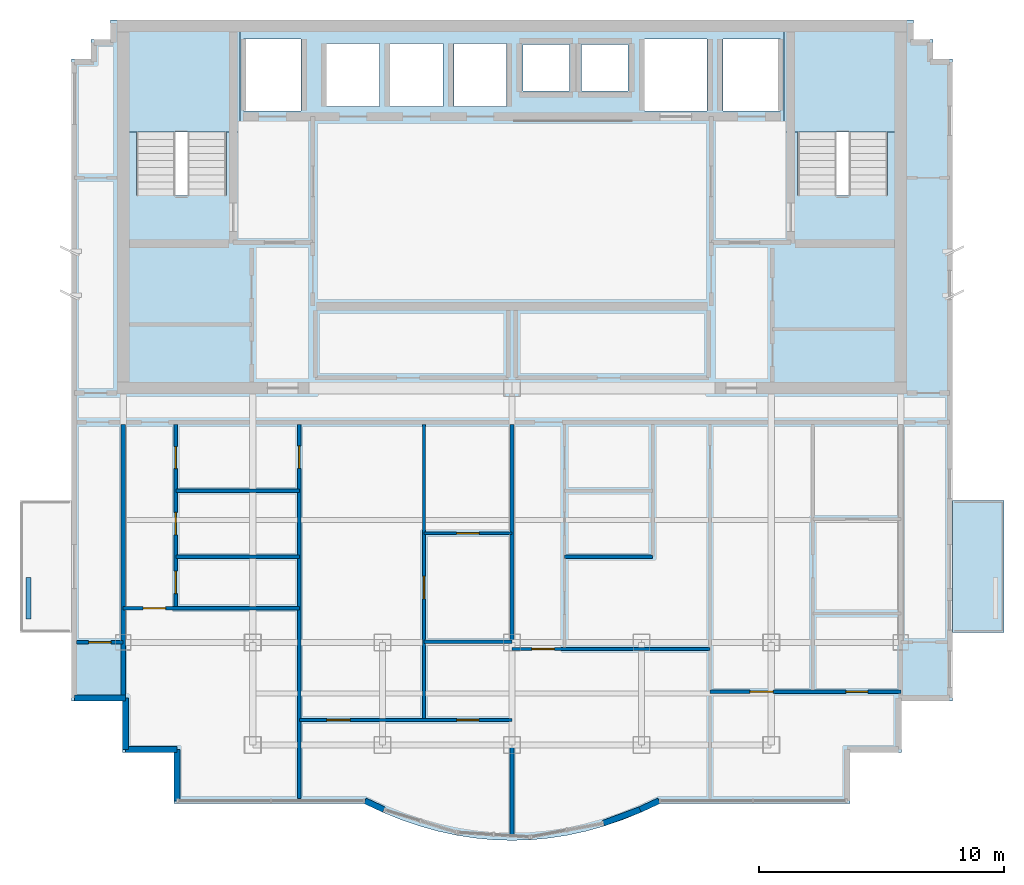
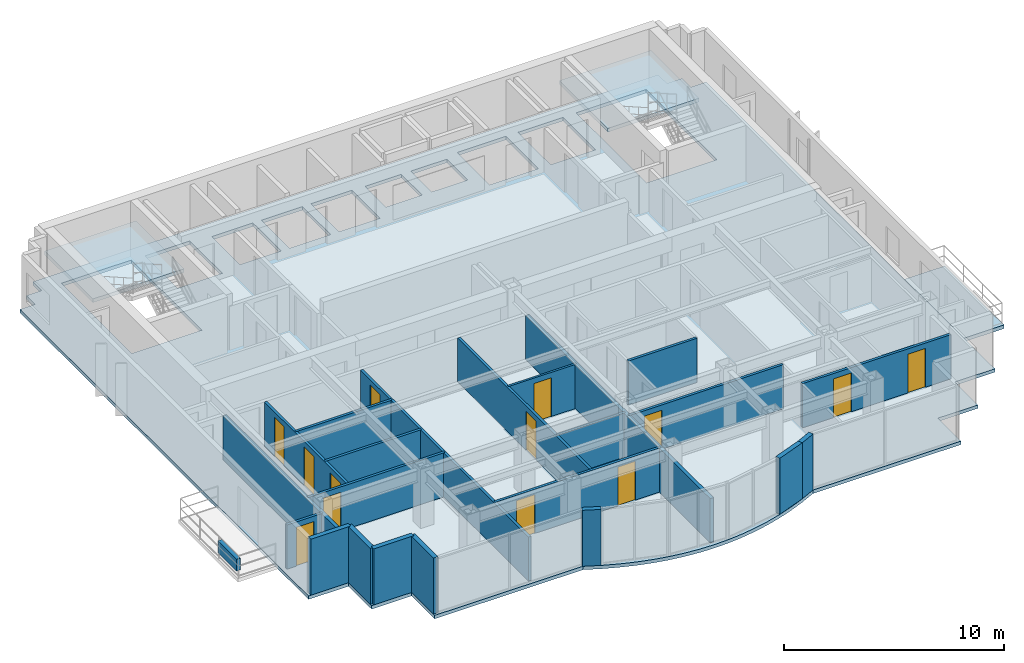
# One storey, part 3 of 9: 23 walls, 13 doors, 4 slabs, 13 openings, 2 elements without a shape of their own.
"""IFC4 building model written with IfcOpenShell, lengths in metres."""

from ifc_helpers import new_model, si_unit, direction, frame, frame_2d, origin, place, context, subcontext, project, spatial, polyline, rectangle, outline, extrude, material, layer, layer_set, type_object, element, fill, aggregate, save


model = new_model("IFC4")

# Units and contexts
model_context = context("Model", 3, precision=1e-05, world=origin(), true_north=direction((0.0, 1.0)))
body_context = subcontext(model_context, "Body", "Model", "MODEL_VIEW")
ifc_project = project(units=[si_unit("LENGTHUNIT", "METRE"), si_unit("AREAUNIT", "SQUARE_METRE"), si_unit("VOLUMEUNIT", "CUBIC_METRE"), si_unit("PLANEANGLEUNIT", "RADIAN"), si_unit("MASSUNIT", "GRAM", prefix="KILO")], contexts=[model_context])

# Site, building, storey
site_placement = place(None, origin())
site = spatial("IfcSite", under=ifc_project, at=site_placement, CompositionType="ELEMENT")
building_placement = place(site_placement, origin())
building = spatial("IfcBuilding", under=site, at=building_placement, Name="Qianlan Lanfeng Residences", CompositionType="ELEMENT")
storey_placement = place(building_placement, frame((0.0, 0.0, 249.5)))
storey = spatial("IfcBuildingStorey", under=building, at=storey_placement, Name="L69", CompositionType="ELEMENT", Elevation=249.5)

# Slabs
ifc_material_1 = material(Name="Concrete C42", Category="concrete")
ifc_layer_1 = layer(ifc_material_1, 0.199951171875)
ifc_layer_set_1 = layer_set([ifc_layer_1], Name="Concrete C42")
slab_type_1 = type_object("IfcSlabType", Name="S-BAL-200", PredefinedType="FLOOR", material=ifc_layer_set_1)
slab_1_placement = place(storey_placement, frame((0.0, 0.0, -0.199951171875)))
element("IfcSlab", 1, at=slab_1_placement, inside=storey, type_object=slab_type_1, Name="L69 Planted Tree Balcony Slab EB-N", PredefinedType="FLOOR", context=body_context, shape_type="SweptSolid", body=[
    extrude(outline(polyline([(44.52001953125, 20.60009765625), (44.52001953125, 15.199951171875), (46.6201171875, 15.199951171875), (46.6201171875, 20.60009765625), (44.52001953125, 20.60009765625)])), origin(), (0.0, 0.0, 1.0), 0.199951171875),
])
ifc_layer_2 = layer(ifc_material_1, 0.18994140625)
ifc_layer_set_2 = layer_set([ifc_layer_2], Name="Concrete C42")
slab_type_2 = type_object("IfcSlabType", Name="S-FL-190", PredefinedType="FLOOR", material=ifc_layer_set_2)
slab_2_placement = place(storey_placement, frame((0.0, 0.0, -0.18994140625)))
element("IfcSlab", 2, at=slab_2_placement, inside=storey, type_object=slab_type_2, Name="L69 Structural Floor Slab", PredefinedType="FLOOR", context=body_context, shape_type="SweptSolid", body=[
    extrude(outline(polyline([(8.47998046875, 12.39990234375), (10.580078125, 12.39990234375), (10.580078125, 10.300048828125), (12.679931640625, 10.300048828125), (12.679931640625, 8.199951171875), (20.4599609375, 8.199951171875), (21.215087890625, 7.847900390625), (21.969970703125, 7.5439453125), (22.72509765625, 7.285888671875), (23.47998046875, 7.074951171875), (24.235107421875, 6.910888671875), (24.989990234375, 6.7939453125), (25.7451171875, 6.722900390625), (26.5, 6.699951171875), (27.2548828125, 6.722900390625), (28.010009765625, 6.7939453125), (28.764892578125, 6.910888671875), (29.52001953125, 7.074951171875), (30.27490234375, 7.285888671875), (31.030029296875, 7.5439453125), (31.784912109375, 7.847900390625), (32.5400390625, 8.199951171875), (40.320068359375, 8.199951171875), (40.320068359375, 10.300048828125), (42.419921875, 10.300048828125), (42.419921875, 12.39990234375), (44.52001953125, 12.39990234375), (44.52001953125, 38.64990234375), (43.719970703125, 38.64990234375), (43.719970703125, 39.449951171875), (42.919921875, 39.449951171875), (42.919921875, 40.25), (10.080078125, 40.25), (10.080078125, 39.449951171875), (9.280029296875, 39.449951171875), (9.280029296875, 38.64990234375), (8.47998046875, 38.64990234375), (8.47998046875, 12.39990234375)]), holes=[polyline([(11.139892578125, 33.080078125), (11.139892578125, 39.5), (14.820068359375, 39.5), (14.820068359375, 33.080078125), (11.139892578125, 33.080078125)]), polyline([(38.179931640625, 33.080078125), (38.179931640625, 39.5), (41.860107421875, 39.5), (41.860107421875, 33.080078125), (38.179931640625, 33.080078125)]), polyline([(15.52001953125, 36.52001953125), (15.52001953125, 39.47998046875), (17.8798828125, 39.47998046875), (17.8798828125, 36.52001953125), (15.52001953125, 36.52001953125)]), polyline([(35.1201171875, 36.52001953125), (35.1201171875, 39.47998046875), (37.47998046875, 39.47998046875), (37.47998046875, 36.52001953125), (35.1201171875, 36.52001953125)]), polyline([(31.919921875, 36.52001953125), (31.919921875, 39.47998046875), (34.47998046875, 39.47998046875), (34.47998046875, 36.52001953125), (31.919921875, 36.52001953125)]), polyline([(18.919921875, 36.719970703125), (18.919921875, 39.280029296875), (21.080078125, 39.280029296875), (21.080078125, 36.719970703125), (18.919921875, 36.719970703125)]), polyline([(21.52001953125, 36.719970703125), (21.52001953125, 39.280029296875), (23.679931640625, 39.280029296875), (23.679931640625, 36.719970703125), (21.52001953125, 36.719970703125)]), polyline([(24.1201171875, 36.719970703125), (24.1201171875, 39.280029296875), (26.280029296875, 39.280029296875), (26.280029296875, 36.719970703125), (24.1201171875, 36.719970703125)]), polyline([(26.949951171875, 37.35009765625), (26.949951171875, 39.25), (28.85009765625, 39.25), (28.85009765625, 37.35009765625), (26.949951171875, 37.35009765625)]), polyline([(29.35009765625, 37.35009765625), (29.35009765625, 39.25), (31.25, 39.25), (31.25, 37.35009765625), (29.35009765625, 37.35009765625)])]), origin(), (0.0, 0.0, 1.0), 0.18994140625),
])

# Stair, slab
stair_type = type_object("IfcStairType", Name="STR-MAIN", PredefinedType="HALF_TURN_STAIR", material=ifc_material_1)
stair_1_placement = place(storey_placement, origin())
stair_1 = element("IfcStair", 3, at=stair_1_placement, inside=storey, type_object=stair_type, Name="L69 Exit Stair ST-1", PredefinedType="HALF_TURN_STAIR")
ifc_layer_3 = layer(ifc_material_1, 0.179931640625)
ifc_layer_set_3 = layer_set([ifc_layer_3], Name="Concrete C42")
slab_type_3 = type_object("IfcSlabType", Name="S-LND-180", PredefinedType="LANDING", material=ifc_layer_set_3)
slab_3_placement = place(storey_placement, frame((0.0, 0.0, 1.449951171875)))
slab_3 = element("IfcSlab", 4, at=slab_3_placement, type_object=slab_type_3, Name="ST-1 landing 1", PredefinedType="LANDING", context=body_context, shape_type="SweptSolid", body=[
    extrude(outline(polyline([(10.580078125, 35.659912109375), (15.3798828125, 35.659912109375), (15.3798828125, 40.050048828125), (10.580078125, 40.050048828125), (10.580078125, 35.659912109375)])), origin(), (0.0, 0.0, 1.0), 0.199951171875),
])
aggregate(stair_1, [slab_3])

stair_2_placement = place(storey_placement, origin())
stair_2 = element("IfcStair", 5, at=stair_2_placement, inside=storey, type_object=stair_type, Name="L69 Exit Stair ST-2", PredefinedType="HALF_TURN_STAIR")
slab_4_placement = place(storey_placement, frame((0.0, 0.0, 1.449951171875)))
slab_4 = element("IfcSlab", 6, at=slab_4_placement, type_object=slab_type_3, Name="ST-2 landing 1", PredefinedType="LANDING", context=body_context, shape_type="SweptSolid", body=[
    extrude(outline(polyline([(37.6201171875, 35.659912109375), (42.419921875, 35.659912109375), (42.419921875, 40.050048828125), (37.6201171875, 40.050048828125), (37.6201171875, 35.659912109375)])), origin(), (0.0, 0.0, 1.0), 0.199951171875),
])
aggregate(stair_2, [slab_4])

# Walls
ifc_layer_4 = layer(ifc_material_1, 0.239990234375)
ifc_layer_set_4 = layer_set([ifc_layer_4], Name="Concrete C42")
wall_type_1 = type_object("IfcWallType", Name="EW-240", PredefinedType="SOLIDWALL", material=ifc_layer_set_4)
wall_1_placement = place(storey_placement, frame((8.60009765625, 12.52001953125, 0.0), z_axis=(0.0, 0.0, 1.0), x_axis=(1.0, 0.0, 0.0)))
element("IfcWall", 7, at=wall_1_placement, inside=storey, type_object=wall_type_1, Name="L69 Exterior Facade Spandrel Wall 1", PredefinedType="SOLIDWALL", context=body_context, shape_type="SweptSolid", body=[
    extrude(rectangle(XDim=2.099853515625, YDim=0.239990234375, at=frame_2d((1.0498046875, 0.0))), origin(), (0.0, 0.0, 1.0), 3.110107421875),
])
for number, where, z_axis, x_axis, name in (
    (8, (10.699951171875, 12.52001953125, 0.0), (0.0, 0.0, 1.0), (0.0, -1.0, 0.0), "L69 Exterior Facade Spandrel Wall 2"),
    (9, (10.699951171875, 10.419921875, 0.0), (0.0, 0.0, 1.0), (1.0, 0.0, 0.0), "L69 Exterior Facade Spandrel Wall 3"),
):
    element("IfcWall", number, at=place(storey_placement, frame(where, z_axis=z_axis, x_axis=x_axis)), inside=storey, type_object=wall_type_1, Name=name, PredefinedType="SOLIDWALL", context=body_context, shape_type="SweptSolid", body=[
        extrude(rectangle(XDim=2.10009765625, YDim=0.239990234375, at=frame_2d((1.050048828125, 0.0))), origin(), (0.0, 0.0, 1.0), 3.110107421875),
    ])
wall_2_placement = place(storey_placement, frame((12.800048828125, 10.419921875, 0.0), z_axis=(0.0, 0.0, 1.0), x_axis=(0.0, -1.0, 0.0)))
element("IfcWall", 10, at=wall_2_placement, inside=storey, type_object=wall_type_1, Name="L69 Exterior Facade Spandrel Wall 4", PredefinedType="SOLIDWALL", context=body_context, shape_type="SweptSolid", body=[
    extrude(rectangle(XDim=2.099853515625, YDim=0.239990234375, at=frame_2d((1.0498046875, 0.0))), origin(), (0.0, 0.0, 1.0), 3.110107421875),
])
wall_3_placement = place(storey_placement, frame((20.487060546875, 8.320068359375, 0.0), z_axis=(0.0, 0.0, 1.0), x_axis=(0.906190424584, -0.422869855147, 0.0)))
element("IfcWall", 11, at=wall_3_placement, inside=storey, type_object=wall_type_1, Name="L69 Exterior Facade Spandrel Wall 5", PredefinedType="SOLIDWALL", context=body_context, shape_type="SweptSolid", body=[
    extrude(rectangle(XDim=0.856201171875, YDim=0.239990234375, at=frame_2d((0.42822265625, 0.0))), origin(), (0.0, 0.0, 1.0), 3.110107421875),
])
wall_4_placement = place(storey_placement, frame((30.239013671875, 7.40087890625, 0.0), z_axis=(0.0, 0.0, 1.0), x_axis=(0.937279890693, 0.34857769077, 0.0)))
element("IfcWall", 12, at=wall_4_placement, inside=storey, type_object=wall_type_1, Name="L69 Exterior Facade Spandrel Wall 6", PredefinedType="SOLIDWALL", context=body_context, shape_type="SweptSolid", body=[
    extrude(rectangle(XDim=1.598388671875, YDim=0.239990234375, at=frame_2d((0.79931640625, 0.0))), origin(), (0.0, 0.0, 1.0), 3.110107421875),
])
wall_5_placement = place(storey_placement, frame((31.737060546875, 7.9580078125, 0.0), z_axis=(0.0, 0.0, 1.0), x_axis=(0.906190424584, 0.422869855147, 0.0)))
element("IfcWall", 13, at=wall_5_placement, inside=storey, type_object=wall_type_1, Name="L69 Exterior Facade Spandrel Wall 7", PredefinedType="SOLIDWALL", context=body_context, shape_type="SweptSolid", body=[
    extrude(rectangle(XDim=0.856201171875, YDim=0.239990234375, at=frame_2d((0.42822265625, 0.0))), origin(), (0.0, 0.0, 1.0), 3.110107421875),
])
ifc_layer_5 = layer(ifc_material_1, 0.199951171875)
ifc_layer_set_5 = layer_set([ifc_layer_5], Name="Concrete C42")
wall_type_2 = type_object("IfcWallType", Name="PL-TREE-200", PredefinedType="PARAPET", material=ifc_layer_set_5)
wall_6_placement = place(storey_placement, frame((6.72998046875, 15.75, 0.0), z_axis=(0.0, 0.0, 1.0), x_axis=(0.0, 1.0, 0.0)))
element("IfcWall", 14, at=wall_6_placement, inside=storey, type_object=wall_type_2, Name="L69 West Tree Planter Curb WB-S", PredefinedType="PARAPET", context=body_context, shape_type="SweptSolid", body=[
    extrude(rectangle(XDim=1.699951171875, YDim=0.199951171875, at=frame_2d((0.85009765625, 0.0))), origin(), (0.0, 0.0, 1.0), 0.64990234375),
])

# Wall, opening, door
ifc_material_2 = material(Name="Demountable Acoustic Framing Partition 110 mm")
ifc_layer_6 = layer(ifc_material_2, 0.110107421875)
ifc_layer_set_6 = layer_set([ifc_layer_6], Name="Demountable Acoustic Framing Partition 110 mm")
wall_type_3 = type_object("IfcWallType", Name="PW-110", PredefinedType="MOVABLE", material=ifc_layer_set_6)
wall_7_placement = place(storey_placement, frame((22.89990234375, 19.260986328125, 0.0), z_axis=(0.0, 0.0, 1.0), x_axis=(1.0, 0.0, 0.0)))
wall_7 = element("IfcWall", 15, at=wall_7_placement, inside=storey, type_object=wall_type_3, Name="L69 U01 Wardrobe Split", PredefinedType="MOVABLE", context=body_context, shape_type="SweptSolid", body=[
    extrude(rectangle(XDim=3.60009765625, YDim=0.110107421875, at=frame_2d((1.800048828125, 0.0))), origin(), (0.0, 0.0, 1.0), 2.449951171875),
])
opening_1_placement = place(wall_7_placement, frame((1.340087890625, 0.0, 0.0)))
opening_1 = element("IfcOpeningElement", 16, at=opening_1_placement, cuts=wall_7, Name="Opening L69-D26", PredefinedType="OPENING", context=body_context, shape_type="SweptSolid", body=[
    extrude(rectangle(XDim=0.919921875, YDim=2.14990234375, at=frame_2d((0.4599609375, 1.074951171875))), frame((0.0, 0.06494140625, 0.0), z_axis=(0.0, -1.0, 0.0), x_axis=(1.0, 0.0, 0.0)), (0.0, 0.0, 1.0), 0.130126953125),
])
ifc_material_3 = material(Name="Glazed Timber Kitchen/Study Door", Category="wood")
door_type_1 = type_object("IfcDoorType", Name="DT-INT", OperationType="NOTDEFINED", PredefinedType="DOOR", material=ifc_material_3)
door_1_placement = place(opening_1_placement, origin())
door_1 = element("IfcDoor", 17, at=door_1_placement, inside=storey, type_object=door_type_1, Name="L69 U01 Dressing Inner Door L69-D26 (DT-INT)", OperationType="SINGLE_SWING_RIGHT", OverallHeight=2.14990234375, OverallWidth=0.919921875, PredefinedType="DOOR", context=body_context, shape_type="SweptSolid", body=[
    extrude(rectangle(XDim=0.919921875, YDim=2.14990234375, at=frame_2d((0.4599609375, 1.074951171875))), frame((0.0, 0.02490234375, 0.0), z_axis=(0.0, -1.0, 0.0), x_axis=(1.0, 0.0, 0.0)), (0.0, 0.0, 1.0), 0.050048828125),
])
fill(opening_1, door_1)

ifc_material_4 = material(Name="Moisture-Resistant Gypsum Partition 135 mm")
ifc_layer_7 = layer(ifc_material_4, 0.135009765625)
ifc_layer_set_7 = layer_set([ifc_layer_7], Name="Moisture-Resistant Gypsum Partition 135 mm")
wall_type_4 = type_object("IfcWallType", Name="PW-135", PredefinedType="PARTITIONING", material=ifc_layer_set_7)
wall_8_placement = place(storey_placement, frame((17.800048828125, 8.419921875, 0.0), z_axis=(0.0, 0.0, 1.0), x_axis=(0.0, 1.0, 0.0)))
wall_8 = element("IfcWall", 18, at=wall_8_placement, inside=storey, type_object=wall_type_4, Name="L69 U01 Bay Spine Wall 1", PredefinedType="PARTITIONING", context=body_context, shape_type="SweptSolid", body=[
    extrude(rectangle(XDim=15.280029296875, YDim=0.135009765625, at=frame_2d((7.64013671875, 0.0))), origin(), (0.0, 0.0, 1.0), 2.449951171875),
])
opening_2_placement = place(wall_8_placement, frame((13.4951171875, 0.0, 0.0)))
opening_2 = element("IfcOpeningElement", 19, at=opening_2_placement, cuts=wall_8, Name="Opening L69-D18", PredefinedType="OPENING", context=body_context, shape_type="SweptSolid", body=[
    extrude(rectangle(XDim=0.919921875, YDim=2.14990234375, at=frame_2d((0.4599609375, 1.074951171875))), frame((0.0, 0.07763671875, 0.0), z_axis=(0.0, -1.0, 0.0), x_axis=(1.0, 0.0, 0.0)), (0.0, 0.0, 1.0), 0.155029296875),
])
door_2_placement = place(opening_2_placement, origin())
door_2 = element("IfcDoor", 20, at=door_2_placement, inside=storey, type_object=door_type_1, Name="L69 U01 Internal Hall Door L69-D18 (DT-INT)", OperationType="SINGLE_SWING_RIGHT", OverallHeight=2.14990234375, OverallWidth=0.919921875, PredefinedType="DOOR", context=body_context, shape_type="SweptSolid", body=[
    extrude(rectangle(XDim=0.919921875, YDim=2.14990234375, at=frame_2d((0.4599609375, 1.074951171875))), frame((0.0, 0.02490234375, 0.0), z_axis=(0.0, -1.0, 0.0), x_axis=(1.0, 0.0, 0.0)), (0.0, 0.0, 1.0), 0.050048828125),
])
fill(opening_2, door_2)

wall_9_placement = place(storey_placement, frame((10.60009765625, 16.197998046875, 0.0), z_axis=(0.0, 0.0, 1.0), x_axis=(1.0, 0.0, 0.0)))
wall_9 = element("IfcWall", 21, at=wall_9_placement, inside=storey, type_object=wall_type_4, Name="L69 U01 Living Divider", PredefinedType="PARTITIONING", context=body_context, shape_type="SweptSolid", body=[
    extrude(rectangle(XDim=7.199951171875, YDim=0.135009765625, at=frame_2d((3.60009765625, 0.0))), origin(), (0.0, 0.0, 1.0), 2.449951171875),
])
opening_3_placement = place(wall_9_placement, frame((0.81494140625, 0.0, 0.0)))
opening_3 = element("IfcOpeningElement", 22, at=opening_3_placement, cuts=wall_9, Name="Opening L69-D19", PredefinedType="OPENING", context=body_context, shape_type="SweptSolid", body=[
    extrude(rectangle(XDim=0.919921875, YDim=2.14990234375, at=frame_2d((0.4599609375, 1.074951171875))), frame((0.0, 0.07763671875, 0.0), z_axis=(0.0, -1.0, 0.0), x_axis=(1.0, 0.0, 0.0)), (0.0, 0.0, 1.0), 0.155029296875),
])
door_3_placement = place(opening_3_placement, origin())
door_3 = element("IfcDoor", 23, at=door_3_placement, inside=storey, type_object=door_type_1, Name="L69 U01 Living Passage Door L69-D19 (DT-INT)", OperationType="SINGLE_SWING_LEFT", OverallHeight=2.14990234375, OverallWidth=0.919921875, PredefinedType="DOOR", context=body_context, shape_type="SweptSolid", body=[
    extrude(rectangle(XDim=0.919921875, YDim=2.14990234375, at=frame_2d((0.4599609375, 1.074951171875))), frame((0.0, 0.02490234375, 0.0), z_axis=(0.0, -1.0, 0.0), x_axis=(1.0, 0.0, 0.0)), (0.0, 0.0, 1.0), 0.050048828125),
])
fill(opening_3, door_3)

# Wall, openings, doors
wall_10_placement = place(storey_placement, frame((12.75, 16.197998046875, 0.0), z_axis=(0.0, 0.0, 1.0), x_axis=(0.0, 1.0, 0.0)))
wall_10 = element("IfcWall", 24, at=wall_10_placement, inside=storey, type_object=wall_type_4, Name="L69 U01 Entry Hall Spine", PredefinedType="PARTITIONING", context=body_context, shape_type="SweptSolid", body=[
    extrude(rectangle(XDim=7.501953125, YDim=0.135009765625, at=frame_2d((3.7509765625, 0.0))), origin(), (0.0, 0.0, 1.0), 2.449951171875),
])
opening_4_placement = place(wall_10_placement, frame((0.591064453125, 0.0, 0.0)))
opening_4 = element("IfcOpeningElement", 25, at=opening_4_placement, cuts=wall_10, Name="Opening L69-D20", PredefinedType="OPENING", context=body_context, shape_type="SweptSolid", body=[
    extrude(rectangle(XDim=0.919921875, YDim=2.14990234375, at=frame_2d((0.4599609375, 1.074951171875))), frame((0.0, 0.07763671875, 0.0), z_axis=(0.0, -1.0, 0.0), x_axis=(1.0, 0.0, 0.0)), (0.0, 0.0, 1.0), 0.155029296875),
])
opening_5_placement = place(wall_10_placement, frame((2.991943359375, 0.0, 0.0)))
opening_5 = element("IfcOpeningElement", 26, at=opening_5_placement, cuts=wall_10, Name="Opening L69-D21", PredefinedType="OPENING", context=body_context, shape_type="SweptSolid", body=[
    extrude(rectangle(XDim=0.919921875, YDim=2.14990234375, at=frame_2d((0.4599609375, 1.074951171875))), frame((0.0, 0.07763671875, 0.0), z_axis=(0.0, -1.0, 0.0), x_axis=(1.0, 0.0, 0.0)), (0.0, 0.0, 1.0), 0.155029296875),
])
opening_6_placement = place(wall_10_placement, frame((5.701904296875, 0.0, 0.0)))
opening_6 = element("IfcOpeningElement", 27, at=opening_6_placement, cuts=wall_10, Name="Opening L69-D22", PredefinedType="OPENING", context=body_context, shape_type="SweptSolid", body=[
    extrude(rectangle(XDim=0.89990234375, YDim=2.14990234375, at=frame_2d((0.449951171875, 1.074951171875))), frame((0.0, 0.07763671875, 0.0), z_axis=(0.0, -1.0, 0.0), x_axis=(1.0, 0.0, 0.0)), (0.0, 0.0, 1.0), 0.155029296875),
])
door_4_placement = place(opening_4_placement, origin())
door_4 = element("IfcDoor", 28, at=door_4_placement, inside=storey, type_object=door_type_1, Name="L69 U01 Study Door L69-D20 (DT-INT)", OperationType="SINGLE_SWING_RIGHT", OverallHeight=2.14990234375, OverallWidth=0.919921875, PredefinedType="DOOR", context=body_context, shape_type="SweptSolid", body=[
    extrude(rectangle(XDim=0.919921875, YDim=2.14990234375, at=frame_2d((0.4599609375, 1.074951171875))), frame((0.0, 0.02490234375, 0.0), z_axis=(0.0, -1.0, 0.0), x_axis=(1.0, 0.0, 0.0)), (0.0, 0.0, 1.0), 0.050048828125),
])
fill(opening_4, door_4)
door_5_placement = place(opening_5_placement, origin())
door_5 = element("IfcDoor", 29, at=door_5_placement, inside=storey, type_object=door_type_1, Name="L69 U01 Kitchen Door L69-D21 (DT-INT)", OperationType="SINGLE_SWING_LEFT", OverallHeight=2.14990234375, OverallWidth=0.919921875, PredefinedType="DOOR", context=body_context, shape_type="SweptSolid", body=[
    extrude(rectangle(XDim=0.919921875, YDim=2.14990234375, at=frame_2d((0.4599609375, 1.074951171875))), frame((0.0, 0.02490234375, 0.0), z_axis=(0.0, -1.0, 0.0), x_axis=(1.0, 0.0, 0.0)), (0.0, 0.0, 1.0), 0.050048828125),
])
fill(opening_5, door_5)
ifc_material_5 = material(Name="Moisture-Resistant Timber Leaf", Category="wood")
door_type_2 = type_object("IfcDoorType", Name="DT-WC", OperationType="NOTDEFINED", PredefinedType="DOOR", material=ifc_material_5)
door_6_placement = place(opening_6_placement, origin())
door_6 = element("IfcDoor", 30, at=door_6_placement, inside=storey, type_object=door_type_2, Name="L69 U01 Bathroom Door L69-D22 (DT-WC)", OperationType="SINGLE_SWING_RIGHT", OverallHeight=2.14990234375, OverallWidth=0.89990234375, PredefinedType="DOOR", context=body_context, shape_type="SweptSolid", body=[
    extrude(rectangle(XDim=0.89990234375, YDim=2.14990234375, at=frame_2d((0.449951171875, 1.074951171875))), frame((0.0, 0.02490234375, 0.0), z_axis=(0.0, -1.0, 0.0), x_axis=(1.0, 0.0, 0.0)), (0.0, 0.0, 1.0), 0.050048828125),
])
fill(opening_6, door_6)

# Walls
for number, where, z_axis, x_axis, name in (
    (31, (12.75, 18.300048828125, 0.0), (0.0, 0.0, 1.0), (1.0, 0.0, 0.0), "L69 U01 Kitchen South Wall"),
    (32, (12.75, 21.0, 0.0), (0.0, 0.0, 1.0), (1.0, 0.0, 0.0), "L69 U01 Bathroom South Wall"),
):
    element("IfcWall", number, at=place(storey_placement, frame(where, z_axis=z_axis, x_axis=x_axis)), inside=storey, type_object=wall_type_4, Name=name, PredefinedType="PARTITIONING", context=body_context, shape_type="SweptSolid", body=[
        extrude(rectangle(XDim=5.050048828125, YDim=0.135009765625, at=frame_2d((2.52490234375, 0.0))), origin(), (0.0, 0.0, 1.0), 2.449951171875),
    ])

# Wall, openings, doors
wall_11_placement = place(storey_placement, frame((17.800048828125, 11.623046875, 0.0), z_axis=(0.0, 0.0, 1.0), x_axis=(1.0, 0.0, 0.0)))
wall_11 = element("IfcWall", 33, at=wall_11_placement, inside=storey, type_object=wall_type_4, Name="L69 U01 Master Bedroom North Wall", PredefinedType="PARTITIONING", context=body_context, shape_type="SweptSolid", body=[
    extrude(rectangle(XDim=8.699951171875, YDim=0.135009765625, at=frame_2d((4.35009765625, 0.0))), origin(), (0.0, 0.0, 1.0), 2.449951171875),
])
opening_7_placement = place(wall_11_placement, frame((1.125, 0.0, 0.0)))
opening_7 = element("IfcOpeningElement", 34, at=opening_7_placement, cuts=wall_11, Name="Opening L69-D23", PredefinedType="OPENING", context=body_context, shape_type="SweptSolid", body=[
    extrude(rectangle(XDim=0.949951171875, YDim=2.14990234375, at=frame_2d((0.47509765625, 1.074951171875))), frame((0.0, 0.07763671875, 0.0), z_axis=(0.0, -1.0, 0.0), x_axis=(1.0, 0.0, 0.0)), (0.0, 0.0, 1.0), 0.155029296875),
])
opening_8_placement = place(wall_11_placement, frame((6.449951171875, 0.0, 0.0)))
opening_8 = element("IfcOpeningElement", 35, at=opening_8_placement, cuts=wall_11, Name="Opening L69-D24", PredefinedType="OPENING", context=body_context, shape_type="SweptSolid", body=[
    extrude(rectangle(XDim=0.89990234375, YDim=2.14990234375, at=frame_2d((0.449951171875, 1.074951171875))), frame((0.0, 0.07763671875, 0.0), z_axis=(0.0, -1.0, 0.0), x_axis=(1.0, 0.0, 0.0)), (0.0, 0.0, 1.0), 0.155029296875),
])
ifc_material_6 = material(Name="Painted Solid-Core Timber Leaf", Category="wood")
door_type_3 = type_object("IfcDoorType", Name="DT-BED", OperationType="NOTDEFINED", PredefinedType="DOOR", material=ifc_material_6)
door_7_placement = place(opening_7_placement, origin())
door_7 = element("IfcDoor", 36, at=door_7_placement, inside=storey, type_object=door_type_3, Name="L69 U01 Master Bedroom Door L69-D23 (DT-BED)", OperationType="SINGLE_SWING_LEFT", OverallHeight=2.14990234375, OverallWidth=0.949951171875, PredefinedType="DOOR", context=body_context, shape_type="SweptSolid", body=[
    extrude(rectangle(XDim=0.949951171875, YDim=2.14990234375, at=frame_2d((0.47509765625, 1.074951171875))), frame((0.0, 0.02490234375, 0.0), z_axis=(0.0, -1.0, 0.0), x_axis=(1.0, 0.0, 0.0)), (0.0, 0.0, 1.0), 0.050048828125),
])
fill(opening_7, door_7)
door_8_placement = place(opening_8_placement, origin())
door_8 = element("IfcDoor", 37, at=door_8_placement, inside=storey, type_object=door_type_2, Name="L69 U01 En-Suite Bathroom Door L69-D24 (DT-WC)", OperationType="SINGLE_SWING_RIGHT", OverallHeight=2.14990234375, OverallWidth=0.89990234375, PredefinedType="DOOR", context=body_context, shape_type="SweptSolid", body=[
    extrude(rectangle(XDim=0.89990234375, YDim=2.14990234375, at=frame_2d((0.449951171875, 1.074951171875))), frame((0.0, 0.02490234375, 0.0), z_axis=(0.0, -1.0, 0.0), x_axis=(1.0, 0.0, 0.0)), (0.0, 0.0, 1.0), 0.050048828125),
])
fill(opening_8, door_8)

# Wall, opening, door
wall_12_placement = place(storey_placement, frame((22.89990234375, 11.623046875, 0.0), z_axis=(0.0, 0.0, 1.0), x_axis=(0.0, 1.0, 0.0)))
wall_12 = element("IfcWall", 38, at=wall_12_placement, inside=storey, type_object=wall_type_4, Name="L69 U01 Master Passage Wall", PredefinedType="PARTITIONING", context=body_context, shape_type="SweptSolid", body=[
    extrude(rectangle(XDim=12.076904296875, YDim=0.135009765625, at=frame_2d((6.03857421875, 0.0))), origin(), (0.0, 0.0, 1.0), 2.449951171875),
])
opening_9_placement = place(wall_12_placement, frame((4.958984375, 0.0, 0.0)))
opening_9 = element("IfcOpeningElement", 39, at=opening_9_placement, cuts=wall_12, Name="Opening L69-D25", PredefinedType="OPENING", context=body_context, shape_type="SweptSolid", body=[
    extrude(rectangle(XDim=0.919921875, YDim=2.14990234375, at=frame_2d((0.4599609375, 1.074951171875))), frame((0.0, 0.07763671875, 0.0), z_axis=(0.0, -1.0, 0.0), x_axis=(1.0, 0.0, 0.0)), (0.0, 0.0, 1.0), 0.155029296875),
])
door_9_placement = place(opening_9_placement, origin())
door_9 = element("IfcDoor", 40, at=door_9_placement, inside=storey, type_object=door_type_1, Name="L69 U01 Wardrobe Door L69-D25 (DT-INT)", OperationType="SINGLE_SWING_LEFT", OverallHeight=2.14990234375, OverallWidth=0.919921875, PredefinedType="DOOR", context=body_context, shape_type="SweptSolid", body=[
    extrude(rectangle(XDim=0.919921875, YDim=2.14990234375, at=frame_2d((0.4599609375, 1.074951171875))), frame((0.0, 0.02490234375, 0.0), z_axis=(0.0, -1.0, 0.0), x_axis=(1.0, 0.0, 0.0)), (0.0, 0.0, 1.0), 0.050048828125),
])
fill(opening_9, door_9)

# Wall
wall_13_placement = place(storey_placement, frame((22.89990234375, 14.822998046875, 0.0), z_axis=(0.0, 0.0, 1.0), x_axis=(1.0, 0.0, 0.0)))
element("IfcWall", 41, at=wall_13_placement, inside=storey, type_object=wall_type_4, Name="L69 U01 En-Suite North Wall", PredefinedType="PARTITIONING", context=body_context, shape_type="SweptSolid", body=[
    extrude(rectangle(XDim=3.60009765625, YDim=0.135009765625, at=frame_2d((1.800048828125, 0.0))), origin(), (0.0, 0.0, 1.0), 2.449951171875),
])

# Wall, opening, door
wall_14_placement = place(storey_placement, frame((26.5, 14.52587890625, 0.0), z_axis=(0.0, 0.0, 1.0), x_axis=(1.0, 0.0, 0.0)))
wall_14 = element("IfcWall", 42, at=wall_14_placement, inside=storey, type_object=wall_type_4, Name="L69 U02 Living Divider", PredefinedType="PARTITIONING", context=body_context, shape_type="SweptSolid", body=[
    extrude(rectangle(XDim=8.10009765625, YDim=0.135009765625, at=frame_2d((4.050048828125, 0.0))), origin(), (0.0, 0.0, 1.0), 2.449951171875),
])
opening_10_placement = place(wall_14_placement, frame((0.81494140625, 0.0, 0.0)))
opening_10 = element("IfcOpeningElement", 43, at=opening_10_placement, cuts=wall_14, Name="Opening L69-D29", PredefinedType="OPENING", context=body_context, shape_type="SweptSolid", body=[
    extrude(rectangle(XDim=0.919921875, YDim=2.14990234375, at=frame_2d((0.4599609375, 1.074951171875))), frame((0.0, 0.07763671875, 0.0), z_axis=(0.0, -1.0, 0.0), x_axis=(1.0, 0.0, 0.0)), (0.0, 0.0, 1.0), 0.155029296875),
])
door_10_placement = place(opening_10_placement, frame((0.919921875, 0.0, 0.0), z_axis=(0.0, 0.0, 1.0), x_axis=(-1.0, 0.0, 0.0)))
door_10 = element("IfcDoor", 44, at=door_10_placement, inside=storey, type_object=door_type_1, Name="L69 U02 Living Passage Door L69-D29 (DT-INT)", OperationType="SINGLE_SWING_LEFT", OverallHeight=2.14990234375, OverallWidth=0.919921875, PredefinedType="DOOR", context=body_context, shape_type="SweptSolid", body=[
    extrude(rectangle(XDim=0.919921875, YDim=2.14990234375, at=frame_2d((0.4599609375, 1.074951171875))), frame((0.0, 0.02490234375, 0.0), z_axis=(0.0, -1.0, 0.0), x_axis=(1.0, 0.0, 0.0)), (0.0, 0.0, 1.0), 0.050048828125),
])
fill(opening_10, door_10)

# Wall
wall_15_placement = place(storey_placement, frame((28.64990234375, 18.300048828125, 0.0), z_axis=(0.0, 0.0, 1.0), x_axis=(1.0, 0.0, 0.0)))
element("IfcWall", 45, at=wall_15_placement, inside=storey, type_object=wall_type_4, Name="L69 U02 Kitchen South Wall", PredefinedType="PARTITIONING", context=body_context, shape_type="SweptSolid", body=[
    extrude(rectangle(XDim=3.60009765625, YDim=0.135009765625, at=frame_2d((1.800048828125, 0.0))), origin(), (0.0, 0.0, 1.0), 2.449951171875),
])

# Wall, openings, doors
wall_16_placement = place(storey_placement, frame((34.60009765625, 12.779052734375, 0.0), z_axis=(0.0, 0.0, 1.0), x_axis=(1.0, 0.0, 0.0)))
wall_16 = element("IfcWall", 46, at=wall_16_placement, inside=storey, type_object=wall_type_4, Name="L69 U02 Master Bedroom North Wall", PredefinedType="PARTITIONING", context=body_context, shape_type="SweptSolid", body=[
    extrude(rectangle(XDim=7.7998046875, YDim=0.135009765625, at=frame_2d((3.89990234375, 0.0))), origin(), (0.0, 0.0, 1.0), 2.449951171875),
])
opening_11_placement = place(wall_16_placement, frame((1.625, 0.0, 0.0)))
opening_11 = element("IfcOpeningElement", 47, at=opening_11_placement, cuts=wall_16, Name="Opening L69-D33", PredefinedType="OPENING", context=body_context, shape_type="SweptSolid", body=[
    extrude(rectangle(XDim=0.949951171875, YDim=2.14990234375, at=frame_2d((0.47509765625, 1.074951171875))), frame((0.0, 0.07763671875, 0.0), z_axis=(0.0, -1.0, 0.0), x_axis=(1.0, 0.0, 0.0)), (0.0, 0.0, 1.0), 0.155029296875),
])
opening_12_placement = place(wall_16_placement, frame((5.550048828125, 0.0, 0.0)))
opening_12 = element("IfcOpeningElement", 48, at=opening_12_placement, cuts=wall_16, Name="Opening L69-D34", PredefinedType="OPENING", context=body_context, shape_type="SweptSolid", body=[
    extrude(rectangle(XDim=0.89990234375, YDim=2.14990234375, at=frame_2d((0.449951171875, 1.074951171875))), frame((0.0, 0.07763671875, 0.0), z_axis=(0.0, -1.0, 0.0), x_axis=(1.0, 0.0, 0.0)), (0.0, 0.0, 1.0), 0.155029296875),
])
door_11_placement = place(opening_11_placement, origin())
door_11 = element("IfcDoor", 49, at=door_11_placement, inside=storey, type_object=door_type_3, Name="L69 U02 Master Bedroom Door L69-D33 (DT-BED)", OperationType="SINGLE_SWING_LEFT", OverallHeight=2.14990234375, OverallWidth=0.949951171875, PredefinedType="DOOR", context=body_context, shape_type="SweptSolid", body=[
    extrude(rectangle(XDim=0.949951171875, YDim=2.14990234375, at=frame_2d((0.47509765625, 1.074951171875))), frame((0.0, 0.02490234375, 0.0), z_axis=(0.0, -1.0, 0.0), x_axis=(1.0, 0.0, 0.0)), (0.0, 0.0, 1.0), 0.050048828125),
])
fill(opening_11, door_11)
door_12_placement = place(opening_12_placement, origin())
door_12 = element("IfcDoor", 50, at=door_12_placement, inside=storey, type_object=door_type_2, Name="L69 U02 En-Suite Bathroom Door L69-D34 (DT-WC)", OperationType="SINGLE_SWING_RIGHT", OverallHeight=2.14990234375, OverallWidth=0.89990234375, PredefinedType="DOOR", context=body_context, shape_type="SweptSolid", body=[
    extrude(rectangle(XDim=0.89990234375, YDim=2.14990234375, at=frame_2d((0.449951171875, 1.074951171875))), frame((0.0, 0.02490234375, 0.0), z_axis=(0.0, -1.0, 0.0), x_axis=(1.0, 0.0, 0.0)), (0.0, 0.0, 1.0), 0.050048828125),
])
fill(opening_12, door_12)

# Wall, opening, door
wall_17_placement = place(storey_placement, frame((8.699951171875, 14.800048828125, 0.0), z_axis=(0.0, 0.0, 1.0), x_axis=(1.0, 0.0, 0.0)))
wall_17 = element("IfcWall", 51, at=wall_17_placement, inside=storey, type_object=wall_type_4, Name="L69 SWP Mid Partition", PredefinedType="PARTITIONING", context=body_context, shape_type="SweptSolid", body=[
    extrude(rectangle(XDim=1.900146484375, YDim=0.135009765625, at=frame_2d((0.9501953125, 0.0))), origin(), (0.0, 0.0, 1.0), 2.449951171875),
])
opening_13_placement = place(wall_17_placement, frame((0.489990234375, 0.0, 0.0)))
opening_13 = element("IfcOpeningElement", 52, at=opening_13_placement, cuts=wall_17, Name="Opening L69-D37", PredefinedType="OPENING", context=body_context, shape_type="SweptSolid", body=[
    extrude(rectangle(XDim=0.919921875, YDim=2.14990234375, at=frame_2d((0.4599609375, 1.074951171875))), frame((0.0, 0.07763671875, 0.0), z_axis=(0.0, -1.0, 0.0), x_axis=(1.0, 0.0, 0.0)), (0.0, 0.0, 1.0), 0.155029296875),
])
door_13_placement = place(opening_13_placement, origin())
door_13 = element("IfcDoor", 53, at=door_13_placement, inside=storey, type_object=door_type_1, Name="L69 SWP Inner Door L69-D37 (DT-INT)", OperationType="SINGLE_SWING_LEFT", OverallHeight=2.14990234375, OverallWidth=0.919921875, PredefinedType="DOOR", context=body_context, shape_type="SweptSolid", body=[
    extrude(rectangle(XDim=0.919921875, YDim=2.14990234375, at=frame_2d((0.4599609375, 1.074951171875))), frame((0.0, 0.02490234375, 0.0), z_axis=(0.0, -1.0, 0.0), x_axis=(1.0, 0.0, 0.0)), (0.0, 0.0, 1.0), 0.050048828125),
])
fill(opening_13, door_13)

# Walls
ifc_material_7 = material(Name="Double-Layer Acoustic Gypsum Stud Wall 180 mm")
ifc_layer_8 = layer(ifc_material_7, 0.179931640625)
ifc_layer_set_8 = layer_set([ifc_layer_8], Name="Double-Layer Acoustic Gypsum Stud Wall 180 mm")
wall_type_5 = type_object("IfcWallType", Name="PW-180", PredefinedType="PARTITIONING", material=ifc_layer_set_8)
wall_18_placement = place(storey_placement, frame((10.60009765625, 12.6201171875, 0.0), z_axis=(0.0, 0.0, 1.0), x_axis=(0.0, 1.0, 0.0)))
element("IfcWall", 54, at=wall_18_placement, inside=storey, type_object=wall_type_5, Name="L69 Wing Boundary Party Wall W0", PredefinedType="PARTITIONING", context=body_context, shape_type="SweptSolid", body=[
    extrude(rectangle(XDim=11.079833984375, YDim=0.179931640625, at=frame_2d((5.5400390625, 0.0))), origin(), (0.0, 0.0, 1.0), 2.449951171875),
])
wall_19_placement = place(storey_placement, frame((26.5, 6.919921875, 0.0), z_axis=(0.0, 0.0, 1.0), x_axis=(0.0, 1.0, 0.0)))
element("IfcWall", 55, at=wall_19_placement, inside=storey, type_object=wall_type_5, Name="L69 Inter-Tenancy Party Wall 2", PredefinedType="PARTITIONING", context=body_context, shape_type="SweptSolid", body=[
    extrude(rectangle(XDim=16.780029296875, YDim=0.179931640625, at=frame_2d((8.39013671875, 0.0))), origin(), (0.0, 0.0, 1.0), 2.449951171875),
])

save(model, "model.ifc")
